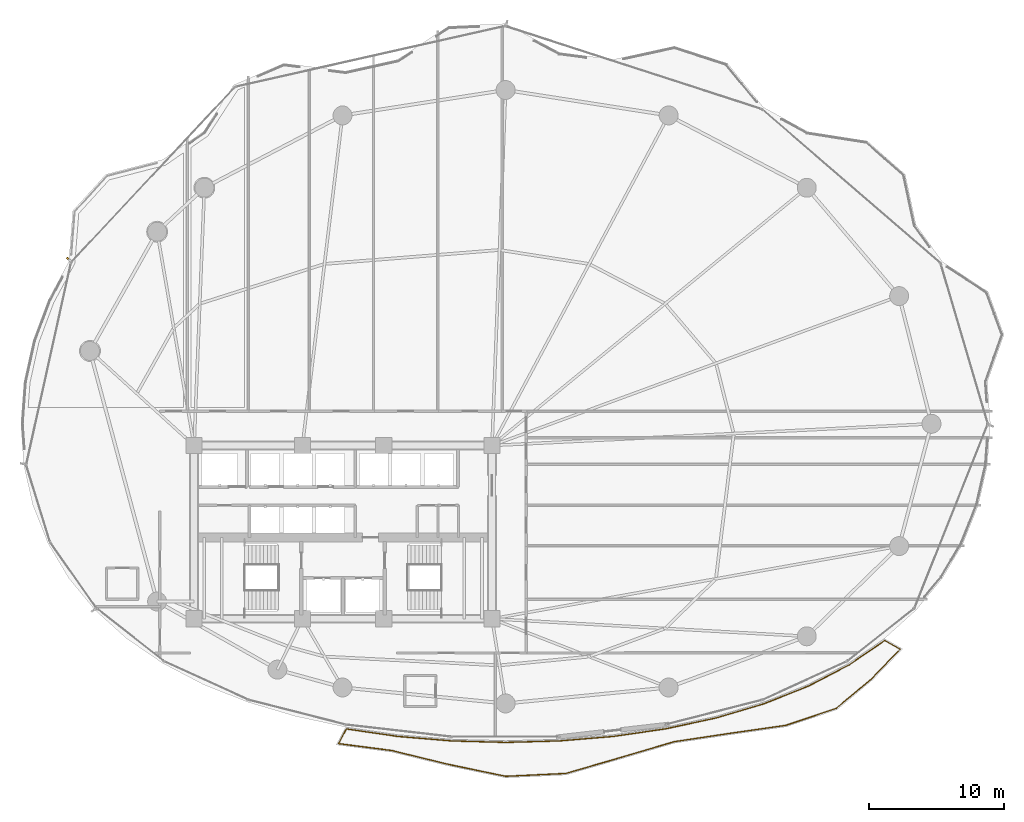
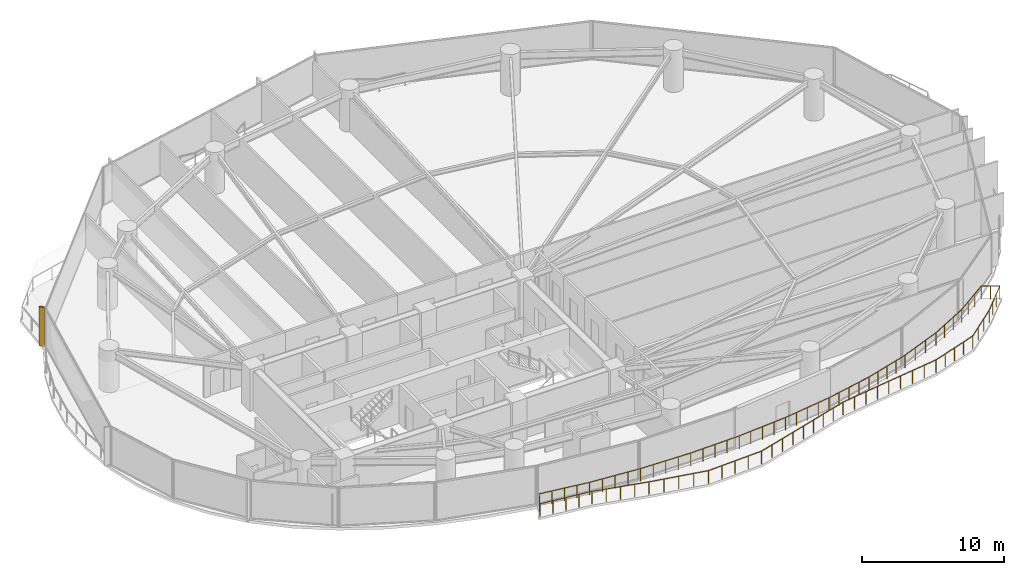
# One storey, part 31 of 33: 1 railing, 1 shading device.
"""IFC4 building model written with IfcOpenShell, lengths in metres."""

from ifc_helpers import new_model, si_unit, direction, frame, origin, origin_2d, place, context, subcontext, project, spatial, rectangle, extrude, material, type_object, element, save


model = new_model("IFC4")

# Units and contexts
model_context = context("Model", 3, precision=1e-05, world=origin(), true_north=direction((0.0, 1.0)))
body_context = subcontext(model_context, "Body", "Model", "MODEL_VIEW")
ifc_project = project(units=[si_unit("LENGTHUNIT", "METRE"), si_unit("AREAUNIT", "SQUARE_METRE"), si_unit("VOLUMEUNIT", "CUBIC_METRE"), si_unit("PLANEANGLEUNIT", "RADIAN"), si_unit("MASSUNIT", "GRAM", prefix="KILO")], contexts=[model_context])

# Site, building, storey
site_placement = place(None, origin())
site = spatial("IfcSite", under=ifc_project, at=site_placement, CompositionType="ELEMENT")
building_placement = place(site_placement, origin())
building = spatial("IfcBuilding", under=site, at=building_placement, Name="Kazevale Care Tower and Concert Hall", CompositionType="ELEMENT")
storey_placement = place(building_placement, frame((0.0, 0.0, 52.800048828125)))
storey = spatial("IfcBuildingStorey", under=building, at=storey_placement, Name="L13", CompositionType="ELEMENT", Elevation=52.800048828125)

# Railing
ifc_material_1 = material(Name="Anodised Bronze Aluminium and Laminated Glass", Category="aluminium")
railing_type = type_object("IfcRailingType", Name="Balcony and Terrace Balustrade 1120", PredefinedType="BALUSTRADE", material=ifc_material_1)
railing_placement = place(storey_placement, frame((33.239990234375, 15.469970703125, 0.0)))
element("IfcRailing", 1, at=railing_placement, inside=storey, type_object=railing_type, Name="rail:L13:balcony", PredefinedType="BALUSTRADE", context=body_context, shape_type="SweptSolid", body=[
    extrude(rectangle(XDim=0.048095703125, YDim=0.048095703125, at=origin_2d()), frame((0.0, 0.0, 1.09619140625), z_axis=(0.98954153526, -0.144248223541, 0.0), x_axis=(0.144248223541, 0.98954153526, 0.0)), (0.0, 0.0, 1.0), 3.820068359375),
    extrude(rectangle(XDim=0.048095703125, YDim=0.048095703125, at=origin_2d()), frame((3.780029296875, -0.551025390625, 1.09619140625), z_axis=(0.996491809711, -0.083690341016, 0.0), x_axis=(0.083690341016, 0.996491809711, 0.0)), (0.0, 0.0, 1.0), 3.97900390625),
    extrude(rectangle(XDim=0.048095703125, YDim=0.048095703125, at=origin_2d()), frame((7.7451171875, -0.884033203125, 1.09619140625), z_axis=(0.999619139625, -0.027596660954, 0.0), x_axis=(0.027596660954, 0.999619139625, 0.0)), (0.0, 0.0, 1.0), 4.016357421875),
    extrude(rectangle(XDim=0.048095703125, YDim=0.048095703125, at=origin_2d()), frame((11.760009765625, -0.994873046875, 1.09619140625), z_axis=(0.999619139625, 0.027596660954, 0.0), x_axis=(-0.027596660954, 0.999619139625, 0.0)), (0.0, 0.0, 1.0), 4.016357421875),
    extrude(rectangle(XDim=0.048095703125, YDim=0.048095703125, at=origin_2d()), frame((15.77490234375, -0.884033203125, 1.09619140625), z_axis=(0.996491809711, 0.083690341016, 0.0), x_axis=(-0.083690341016, 0.996491809711, 0.0)), (0.0, 0.0, 1.0), 3.97900390625),
    extrude(rectangle(XDim=0.048095703125, YDim=0.048095703125, at=origin_2d()), frame((19.739990234375, -0.551025390625, 1.09619140625), z_axis=(0.989562148583, 0.144106745477, 0.0), x_axis=(-0.144106745477, 0.989562148583, 0.0)), (0.0, 0.0, 1.0), 3.90673828125),
    extrude(rectangle(XDim=0.048095703125, YDim=0.048095703125, at=origin_2d()), frame((23.60595703125, 0.011962890625, 1.09619140625), z_axis=(0.977622623243, 0.210366362622, 0.0), x_axis=(-0.210366362622, 0.977622623243, 0.0)), (0.0, 0.0, 1.0), 3.80322265625),
    extrude(rectangle(XDim=0.048095703125, YDim=0.048095703125, at=origin_2d()), frame((27.323974609375, 0.81201171875, 1.09619140625), z_axis=(0.958576059845, 0.28483668565, 0.0), x_axis=(-0.28483668565, 0.958576059845, 0.0)), (0.0, 0.0, 1.0), 3.67626953125),
    extrude(rectangle(XDim=0.048095703125, YDim=0.048095703125, at=origin_2d()), frame((30.847900390625, 1.859130859375, 1.09619140625), z_axis=(0.929364745906, 0.369162794803, 0.0), x_axis=(-0.369162794803, 0.929364745906, 0.0)), (0.0, 0.0, 1.0), 3.534912109375),
    extrude(rectangle(XDim=0.048095703125, YDim=0.048095703125, at=origin_2d()), frame((34.133056640625, 3.1640625, 1.09619140625), z_axis=(0.886249621896, 0.463207952965, 0.0), x_axis=(-0.463207952965, 0.886249621896, 0.0)), (0.0, 0.0, 1.0), 3.3916015625),
    extrude(rectangle(XDim=0.048095703125, YDim=0.048095703125, at=origin_2d()), frame((37.138916015625, 4.735107421875, 1.09619140625), z_axis=(0.825224295989, 0.564805153402, 0.0), x_axis=(-0.564805153402, 0.825224295989, 0.0)), (0.0, 0.0, 1.0), 3.17626953125),
    extrude(rectangle(XDim=0.048095703125, YDim=0.048095703125, at=origin_2d()), frame((39.760009765625, 6.529052734375, 1.09619140625), z_axis=(0.870142170269, -0.492800774673, 0.0), x_axis=(0.492800774673, 0.870142170269, 0.0)), (0.0, 0.0, 1.0), 1.308837890625),
    extrude(rectangle(XDim=0.048095703125, YDim=0.048095703125, at=origin_2d()), frame((40.89892578125, 5.884033203125, 1.09619140625), z_axis=(-0.695721865132, -0.718311274016, 0.0), x_axis=(0.718311274016, -0.695721865132, 0.0)), (0.0, 0.0, 1.0), 3.05859375),
    extrude(rectangle(XDim=0.048095703125, YDim=0.048095703125, at=origin_2d()), frame((38.77099609375, 3.68701171875, 1.09619140625), z_axis=(-0.767634241032, -0.640888189932, 0.0), x_axis=(0.640888189932, -0.767634241032, 0.0)), (0.0, 0.0, 1.0), 3.376708984375),
    extrude(rectangle(XDim=0.048095703125, YDim=0.048095703125, at=origin_2d()), frame((36.178955078125, 1.52294921875, 1.09619140625), z_axis=(-0.947403436309, -0.320041761133, 0.0), x_axis=(0.320041761133, -0.947403436309, 0.0)), (0.0, 0.0, 1.0), 3.914794921875),
    extrude(rectangle(XDim=0.048095703125, YDim=0.048095703125, at=origin_2d()), frame((32.469970703125, 0.27001953125, 1.09619140625), z_axis=(-0.989839823031, -0.142186935905, 0.0), x_axis=(0.142186935905, -0.989839823031, 0.0)), (0.0, 0.0, 1.0), 4.240966796875),
    extrude(rectangle(XDim=0.048095703125, YDim=0.048095703125, at=origin_2d()), frame((28.27197265625, -0.3330078125, 1.09619140625), z_axis=(-0.988905087937, -0.148548736289, 0.0), x_axis=(0.148548736289, -0.988905087937, 0.0)), (0.0, 0.0, 1.0), 4.126953125),
    extrude(rectangle(XDim=0.048095703125, YDim=0.048095703125, at=origin_2d()), frame((24.19091796875, -0.946044921875, 1.09619140625), z_axis=(-0.958908826329, -0.283714403561, 0.0), x_axis=(0.283714403561, -0.958908826329, 0.0)), (0.0, 0.0, 1.0), 4.046142578125),
    extrude(rectangle(XDim=0.048095703125, YDim=0.048095703125, at=origin_2d()), frame((20.31103515625, -2.093994140625, 1.09619140625), z_axis=(-0.960174974734, -0.279399387785, 0.0), x_axis=(0.279399387785, -0.960174974734, 0.0)), (0.0, 0.0, 1.0), 4.27734375),
    extrude(rectangle(XDim=0.048095703125, YDim=0.048095703125, at=origin_2d()), frame((16.2041015625, -3.2890625, 1.09619140625), z_axis=(-0.99890148555, -0.046859600577, 0.0), x_axis=(0.046859600577, -0.99890148555, 0.0)), (0.0, 0.0, 1.0), 4.43896484375),
    extrude(rectangle(XDim=0.048095703125, YDim=0.048095703125, at=origin_2d()), frame((11.77001953125, -3.4970703125, 1.09619140625), z_axis=(-0.978962039313, 0.204042460247, 0.0), x_axis=(-0.204042460247, -0.978962039313, 0.0)), (0.0, 0.0, 1.0), 4.421142578125),
    extrude(rectangle(XDim=0.048095703125, YDim=0.048095703125, at=origin_2d()), frame((7.44189453125, -2.594970703125, 1.09619140625), z_axis=(-0.971211606487, 0.238218419574, 0.0), x_axis=(-0.238218419574, -0.971211606487, 0.0)), (0.0, 0.0, 1.0), 4.19384765625),
    extrude(rectangle(XDim=0.048095703125, YDim=0.048095703125, at=origin_2d()), frame((3.368896484375, -1.595947265625, 1.09619140625), z_axis=(-0.991702506662, 0.128554028641, 0.0), x_axis=(-0.128554028641, -0.991702506662, 0.0)), (0.0, 0.0, 1.0), 3.974853515625),
    extrude(rectangle(XDim=0.048095703125, YDim=0.048095703125, at=origin_2d()), frame((-0.572998046875, -1.0849609375, 1.09619140625), z_axis=(0.467000689619, 0.884256951285, 0.0), x_axis=(-0.884256951285, 0.467000689619, 0.0)), (0.0, 0.0, 1.0), 1.22705078125),
    extrude(rectangle(XDim=0.0419921875, YDim=0.0419921875, at=origin_2d()), origin(), (0.0, 0.0, 1.0), 1.072021484375),
    extrude(rectangle(XDim=0.0419921875, YDim=0.0419921875, at=origin_2d()), frame((0.945068359375, -0.1376953125, 0.0)), (0.0, 0.0, 1.0), 1.072021484375),
    extrude(rectangle(XDim=0.0419921875, YDim=0.0419921875, at=origin_2d()), frame((1.89013671875, -0.275390625, 0.0)), (0.0, 0.0, 1.0), 1.072021484375),
    extrude(rectangle(XDim=0.0419921875, YDim=0.0419921875, at=origin_2d()), frame((2.8349609375, -0.413330078125, 0.0)), (0.0, 0.0, 1.0), 1.072021484375),
    extrude(rectangle(XDim=0.0419921875, YDim=0.0419921875, at=origin_2d()), frame((3.780029296875, -0.551025390625, 0.0)), (0.0, 0.0, 1.0), 1.072021484375),
    extrude(rectangle(XDim=0.0419921875, YDim=0.0419921875, at=origin_2d()), frame((4.771240234375, -0.63427734375, 0.0)), (0.0, 0.0, 1.0), 1.072021484375),
    extrude(rectangle(XDim=0.0419921875, YDim=0.0419921875, at=origin_2d()), frame((5.7626953125, -0.717529296875, 0.0)), (0.0, 0.0, 1.0), 1.072021484375),
    extrude(rectangle(XDim=0.0419921875, YDim=0.0419921875, at=origin_2d()), frame((6.75390625, -0.80078125, 0.0)), (0.0, 0.0, 1.0), 1.072021484375),
    extrude(rectangle(XDim=0.0419921875, YDim=0.0419921875, at=origin_2d()), frame((7.7451171875, -0.884033203125, 0.0)), (0.0, 0.0, 1.0), 1.072021484375),
    extrude(rectangle(XDim=0.0419921875, YDim=0.0419921875, at=origin_2d()), frame((8.748779296875, -0.91162109375, 0.0)), (0.0, 0.0, 1.0), 1.072021484375),
    extrude(rectangle(XDim=0.0419921875, YDim=0.0419921875, at=origin_2d()), frame((9.75244140625, -0.939453125, 0.0)), (0.0, 0.0, 1.0), 1.072021484375),
    extrude(rectangle(XDim=0.0419921875, YDim=0.0419921875, at=origin_2d()), frame((10.75634765625, -0.96728515625, 0.0)), (0.0, 0.0, 1.0), 1.072021484375),
    extrude(rectangle(XDim=0.0419921875, YDim=0.0419921875, at=origin_2d()), frame((11.760009765625, -0.994873046875, 0.0)), (0.0, 0.0, 1.0), 1.072021484375),
    extrude(rectangle(XDim=0.0419921875, YDim=0.0419921875, at=origin_2d()), frame((12.763671875, -0.96728515625, 0.0)), (0.0, 0.0, 1.0), 1.072021484375),
    extrude(rectangle(XDim=0.0419921875, YDim=0.0419921875, at=origin_2d()), frame((13.767578125, -0.939453125, 0.0)), (0.0, 0.0, 1.0), 1.072021484375),
    extrude(rectangle(XDim=0.0419921875, YDim=0.0419921875, at=origin_2d()), frame((14.771240234375, -0.91162109375, 0.0)), (0.0, 0.0, 1.0), 1.072021484375),
    extrude(rectangle(XDim=0.0419921875, YDim=0.0419921875, at=origin_2d()), frame((15.77490234375, -0.884033203125, 0.0)), (0.0, 0.0, 1.0), 1.072021484375),
    extrude(rectangle(XDim=0.0419921875, YDim=0.0419921875, at=origin_2d()), frame((16.76611328125, -0.80078125, 0.0)), (0.0, 0.0, 1.0), 1.072021484375),
    extrude(rectangle(XDim=0.0419921875, YDim=0.0419921875, at=origin_2d()), frame((17.75732421875, -0.717529296875, 0.0)), (0.0, 0.0, 1.0), 1.072021484375),
    extrude(rectangle(XDim=0.0419921875, YDim=0.0419921875, at=origin_2d()), frame((18.748779296875, -0.63427734375, 0.0)), (0.0, 0.0, 1.0), 1.072021484375),
    extrude(rectangle(XDim=0.0419921875, YDim=0.0419921875, at=origin_2d()), frame((19.739990234375, -0.551025390625, 0.0)), (0.0, 0.0, 1.0), 1.072021484375),
    extrude(rectangle(XDim=0.0419921875, YDim=0.0419921875, at=origin_2d()), frame((20.70654296875, -0.41015625, 0.0)), (0.0, 0.0, 1.0), 1.072021484375),
    extrude(rectangle(XDim=0.0419921875, YDim=0.0419921875, at=origin_2d()), frame((21.6728515625, -0.26953125, 0.0)), (0.0, 0.0, 1.0), 1.072021484375),
    extrude(rectangle(XDim=0.0419921875, YDim=0.0419921875, at=origin_2d()), frame((22.639404296875, -0.12890625, 0.0)), (0.0, 0.0, 1.0), 1.072021484375),
    extrude(rectangle(XDim=0.0419921875, YDim=0.0419921875, at=origin_2d()), frame((23.60595703125, 0.011962890625, 0.0)), (0.0, 0.0, 1.0), 1.072021484375),
    extrude(rectangle(XDim=0.0419921875, YDim=0.0419921875, at=origin_2d()), frame((24.535400390625, 0.2119140625, 0.0)), (0.0, 0.0, 1.0), 1.072021484375),
    extrude(rectangle(XDim=0.0419921875, YDim=0.0419921875, at=origin_2d()), frame((25.46484375, 0.412109375, 0.0)), (0.0, 0.0, 1.0), 1.072021484375),
    extrude(rectangle(XDim=0.0419921875, YDim=0.0419921875, at=origin_2d()), frame((26.39453125, 0.612060546875, 0.0)), (0.0, 0.0, 1.0), 1.072021484375),
    extrude(rectangle(XDim=0.0419921875, YDim=0.0419921875, at=origin_2d()), frame((27.323974609375, 0.81201171875, 0.0)), (0.0, 0.0, 1.0), 1.072021484375),
    extrude(rectangle(XDim=0.0419921875, YDim=0.0419921875, at=origin_2d()), frame((28.205078125, 1.07373046875, 0.0)), (0.0, 0.0, 1.0), 1.072021484375),
    extrude(rectangle(XDim=0.0419921875, YDim=0.0419921875, at=origin_2d()), frame((29.0859375, 1.33544921875, 0.0)), (0.0, 0.0, 1.0), 1.072021484375),
    extrude(rectangle(XDim=0.0419921875, YDim=0.0419921875, at=origin_2d()), frame((29.966796875, 1.597412109375, 0.0)), (0.0, 0.0, 1.0), 1.072021484375),
    extrude(rectangle(XDim=0.0419921875, YDim=0.0419921875, at=origin_2d()), frame((30.847900390625, 1.859130859375, 0.0)), (0.0, 0.0, 1.0), 1.072021484375),
    extrude(rectangle(XDim=0.0419921875, YDim=0.0419921875, at=origin_2d()), frame((31.94287109375, 2.294189453125, 0.0)), (0.0, 0.0, 1.0), 1.072021484375),
    extrude(rectangle(XDim=0.0419921875, YDim=0.0419921875, at=origin_2d()), frame((33.0380859375, 2.72900390625, 0.0)), (0.0, 0.0, 1.0), 1.072021484375),
    extrude(rectangle(XDim=0.0419921875, YDim=0.0419921875, at=origin_2d()), frame((34.133056640625, 3.1640625, 0.0)), (0.0, 0.0, 1.0), 1.072021484375),
    extrude(rectangle(XDim=0.0419921875, YDim=0.0419921875, at=origin_2d()), frame((35.135009765625, 3.687744140625, 0.0)), (0.0, 0.0, 1.0), 1.072021484375),
    extrude(rectangle(XDim=0.0419921875, YDim=0.0419921875, at=origin_2d()), frame((36.136962890625, 4.21142578125, 0.0)), (0.0, 0.0, 1.0), 1.072021484375),
    extrude(rectangle(XDim=0.0419921875, YDim=0.0419921875, at=origin_2d()), frame((37.138916015625, 4.735107421875, 0.0)), (0.0, 0.0, 1.0), 1.072021484375),
    extrude(rectangle(XDim=0.0419921875, YDim=0.0419921875, at=origin_2d()), frame((38.0126953125, 5.3330078125, 0.0)), (0.0, 0.0, 1.0), 1.072021484375),
    extrude(rectangle(XDim=0.0419921875, YDim=0.0419921875, at=origin_2d()), frame((38.88623046875, 5.93115234375, 0.0)), (0.0, 0.0, 1.0), 1.072021484375),
    extrude(rectangle(XDim=0.0419921875, YDim=0.0419921875, at=origin_2d()), frame((39.760009765625, 6.529052734375, 0.0)), (0.0, 0.0, 1.0), 1.072021484375),
    extrude(rectangle(XDim=0.0419921875, YDim=0.0419921875, at=origin_2d()), frame((40.32958984375, 6.20654296875, 0.0)), (0.0, 0.0, 1.0), 1.072021484375),
    extrude(rectangle(XDim=0.0419921875, YDim=0.0419921875, at=origin_2d()), frame((40.89892578125, 5.884033203125, 0.0)), (0.0, 0.0, 1.0), 1.072021484375),
    extrude(rectangle(XDim=0.0419921875, YDim=0.0419921875, at=origin_2d()), frame((40.189697265625, 5.151611328125, 0.0)), (0.0, 0.0, 1.0), 1.072021484375),
    extrude(rectangle(XDim=0.0419921875, YDim=0.0419921875, at=origin_2d()), frame((39.480224609375, 4.41943359375, 0.0)), (0.0, 0.0, 1.0), 1.072021484375),
    extrude(rectangle(XDim=0.0419921875, YDim=0.0419921875, at=origin_2d()), frame((38.77099609375, 3.68701171875, 0.0)), (0.0, 0.0, 1.0), 1.072021484375),
    extrude(rectangle(XDim=0.0419921875, YDim=0.0419921875, at=origin_2d()), frame((37.906982421875, 2.965576171875, 0.0)), (0.0, 0.0, 1.0), 1.072021484375),
    extrude(rectangle(XDim=0.0419921875, YDim=0.0419921875, at=origin_2d()), frame((37.04296875, 2.244384765625, 0.0)), (0.0, 0.0, 1.0), 1.072021484375),
    extrude(rectangle(XDim=0.0419921875, YDim=0.0419921875, at=origin_2d()), frame((36.178955078125, 1.52294921875, 0.0)), (0.0, 0.0, 1.0), 1.072021484375),
    extrude(rectangle(XDim=0.0419921875, YDim=0.0419921875, at=origin_2d()), frame((35.251708984375, 1.209716796875, 0.0)), (0.0, 0.0, 1.0), 1.072021484375),
    extrude(rectangle(XDim=0.0419921875, YDim=0.0419921875, at=origin_2d()), frame((34.324462890625, 0.896484375, 0.0)), (0.0, 0.0, 1.0), 1.072021484375),
    extrude(rectangle(XDim=0.0419921875, YDim=0.0419921875, at=origin_2d()), frame((33.397216796875, 0.583251953125, 0.0)), (0.0, 0.0, 1.0), 1.072021484375),
    extrude(rectangle(XDim=0.0419921875, YDim=0.0419921875, at=origin_2d()), frame((32.469970703125, 0.27001953125, 0.0)), (0.0, 0.0, 1.0), 1.072021484375),
    extrude(rectangle(XDim=0.0419921875, YDim=0.0419921875, at=origin_2d()), frame((31.42041015625, 0.119140625, 0.0)), (0.0, 0.0, 1.0), 1.072021484375),
    extrude(rectangle(XDim=0.0419921875, YDim=0.0419921875, at=origin_2d()), frame((30.37109375, -0.031494140625, 0.0)), (0.0, 0.0, 1.0), 1.072021484375),
    extrude(rectangle(XDim=0.0419921875, YDim=0.0419921875, at=origin_2d()), frame((29.321533203125, -0.18212890625, 0.0)), (0.0, 0.0, 1.0), 1.072021484375),
    extrude(rectangle(XDim=0.0419921875, YDim=0.0419921875, at=origin_2d()), frame((28.27197265625, -0.3330078125, 0.0)), (0.0, 0.0, 1.0), 1.072021484375),
    extrude(rectangle(XDim=0.0419921875, YDim=0.0419921875, at=origin_2d()), frame((27.251708984375, -0.486328125, 0.0)), (0.0, 0.0, 1.0), 1.072021484375),
    extrude(rectangle(XDim=0.0419921875, YDim=0.0419921875, at=origin_2d()), frame((26.2314453125, -0.6396484375, 0.0)), (0.0, 0.0, 1.0), 1.072021484375),
    extrude(rectangle(XDim=0.0419921875, YDim=0.0419921875, at=origin_2d()), frame((25.211181640625, -0.792724609375, 0.0)), (0.0, 0.0, 1.0), 1.072021484375),
    extrude(rectangle(XDim=0.0419921875, YDim=0.0419921875, at=origin_2d()), frame((24.19091796875, -0.946044921875, 0.0)), (0.0, 0.0, 1.0), 1.072021484375),
    extrude(rectangle(XDim=0.0419921875, YDim=0.0419921875, at=origin_2d()), frame((23.220947265625, -1.23291015625, 0.0)), (0.0, 0.0, 1.0), 1.072021484375),
    extrude(rectangle(XDim=0.0419921875, YDim=0.0419921875, at=origin_2d()), frame((22.2509765625, -1.52001953125, 0.0)), (0.0, 0.0, 1.0), 1.072021484375),
    extrude(rectangle(XDim=0.0419921875, YDim=0.0419921875, at=origin_2d()), frame((21.281005859375, -1.80712890625, 0.0)), (0.0, 0.0, 1.0), 1.072021484375),
    extrude(rectangle(XDim=0.0419921875, YDim=0.0419921875, at=origin_2d()), frame((20.31103515625, -2.093994140625, 0.0)), (0.0, 0.0, 1.0), 1.072021484375),
    extrude(rectangle(XDim=0.0419921875, YDim=0.0419921875, at=origin_2d()), frame((19.2841796875, -2.392822265625, 0.0)), (0.0, 0.0, 1.0), 1.072021484375),
    extrude(rectangle(XDim=0.0419921875, YDim=0.0419921875, at=origin_2d()), frame((18.257568359375, -2.69140625, 0.0)), (0.0, 0.0, 1.0), 1.072021484375),
    extrude(rectangle(XDim=0.0419921875, YDim=0.0419921875, at=origin_2d()), frame((17.23095703125, -2.990234375, 0.0)), (0.0, 0.0, 1.0), 1.072021484375),
    extrude(rectangle(XDim=0.0419921875, YDim=0.0419921875, at=origin_2d()), frame((16.2041015625, -3.2890625, 0.0)), (0.0, 0.0, 1.0), 1.072021484375),
    extrude(rectangle(XDim=0.0419921875, YDim=0.0419921875, at=origin_2d()), frame((15.095703125, -3.341064453125, 0.0)), (0.0, 0.0, 1.0), 1.072021484375),
    extrude(rectangle(XDim=0.0419921875, YDim=0.0419921875, at=origin_2d()), frame((13.987060546875, -3.39306640625, 0.0)), (0.0, 0.0, 1.0), 1.072021484375),
    extrude(rectangle(XDim=0.0419921875, YDim=0.0419921875, at=origin_2d()), frame((12.87841796875, -3.445068359375, 0.0)), (0.0, 0.0, 1.0), 1.072021484375),
    extrude(rectangle(XDim=0.0419921875, YDim=0.0419921875, at=origin_2d()), frame((11.77001953125, -3.4970703125, 0.0)), (0.0, 0.0, 1.0), 1.072021484375),
    extrude(rectangle(XDim=0.0419921875, YDim=0.0419921875, at=origin_2d()), frame((10.68798828125, -3.271484375, 0.0)), (0.0, 0.0, 1.0), 1.072021484375),
    extrude(rectangle(XDim=0.0419921875, YDim=0.0419921875, at=origin_2d()), frame((9.60595703125, -3.0458984375, 0.0)), (0.0, 0.0, 1.0), 1.072021484375),
    extrude(rectangle(XDim=0.0419921875, YDim=0.0419921875, at=origin_2d()), frame((8.52392578125, -2.820556640625, 0.0)), (0.0, 0.0, 1.0), 1.072021484375),
    extrude(rectangle(XDim=0.0419921875, YDim=0.0419921875, at=origin_2d()), frame((7.44189453125, -2.594970703125, 0.0)), (0.0, 0.0, 1.0), 1.072021484375),
    extrude(rectangle(XDim=0.0419921875, YDim=0.0419921875, at=origin_2d()), frame((6.423583984375, -2.34521484375, 0.0)), (0.0, 0.0, 1.0), 1.072021484375),
    extrude(rectangle(XDim=0.0419921875, YDim=0.0419921875, at=origin_2d()), frame((5.4052734375, -2.095458984375, 0.0)), (0.0, 0.0, 1.0), 1.072021484375),
    extrude(rectangle(XDim=0.0419921875, YDim=0.0419921875, at=origin_2d()), frame((4.38720703125, -1.845703125, 0.0)), (0.0, 0.0, 1.0), 1.072021484375),
    extrude(rectangle(XDim=0.0419921875, YDim=0.0419921875, at=origin_2d()), frame((3.368896484375, -1.595947265625, 0.0)), (0.0, 0.0, 1.0), 1.072021484375),
    extrude(rectangle(XDim=0.0419921875, YDim=0.0419921875, at=origin_2d()), frame((2.38330078125, -1.46826171875, 0.0)), (0.0, 0.0, 1.0), 1.072021484375),
    extrude(rectangle(XDim=0.0419921875, YDim=0.0419921875, at=origin_2d()), frame((1.39794921875, -1.34033203125, 0.0)), (0.0, 0.0, 1.0), 1.072021484375),
    extrude(rectangle(XDim=0.0419921875, YDim=0.0419921875, at=origin_2d()), frame((0.41259765625, -1.212646484375, 0.0)), (0.0, 0.0, 1.0), 1.072021484375),
    extrude(rectangle(XDim=0.0419921875, YDim=0.0419921875, at=origin_2d()), frame((-0.572998046875, -1.0849609375, 0.0)), (0.0, 0.0, 1.0), 1.072021484375),
    extrude(rectangle(XDim=0.0419921875, YDim=0.0419921875, at=origin_2d()), frame((-0.28662109375, -0.54248046875, 0.0)), (0.0, 0.0, 1.0), 1.072021484375),
])

# Shading device
ifc_material_2 = material(Name="Honed Ochre Limestone", Category="masonry")
shading_device_type = type_object("IfcShadingDeviceType", Name="Vertical Honed Limestone Fin FIN-01", PredefinedType="USERDEFINED", material=ifc_material_2)
shading_device_placement = place(storey_placement, frame((12.747802734375, 50.140625, 0.0), z_axis=(0.0, 0.0, 1.0), x_axis=(-0.730400739673, 0.683018857343, 0.0)))
element("IfcShadingDevice", 2, at=shading_device_placement, inside=storey, type_object=shading_device_type, Name="cw:L13:f14:fin", ObjectType="FIN", PredefinedType="USERDEFINED", context=body_context, shape_type="SweptSolid", body=[
    extrude(rectangle(XDim=0.3798828125, YDim=0.1201171875, at=origin_2d()), origin(), (0.0, 0.0, 1.0), 3.360107421875),
])

save(model, "model.ifc")
